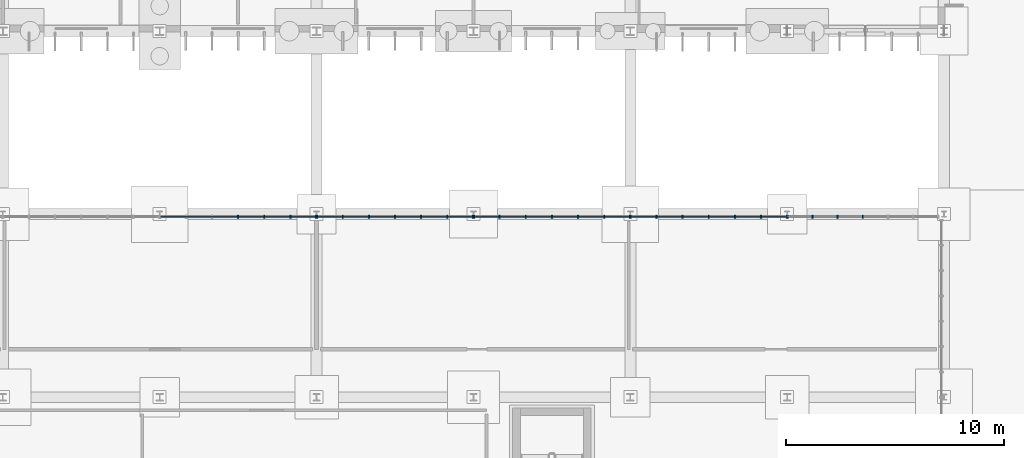
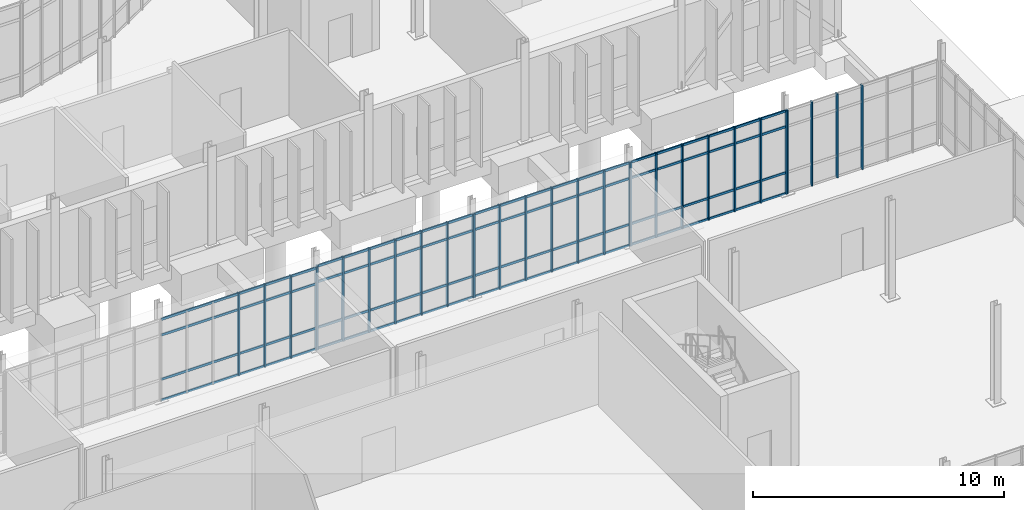
# One storey, part 48 of 118: 45 members, 5 elements without a shape of their own.
"""IFC4 building model written with IfcOpenShell, lengths in metres."""

from ifc_helpers import new_model, si_unit, direction, frame, origin, origin_2d, place, context, subcontext, project, spatial, rectangle, extrude, material, material_profile, profile_set, type_object, element, aggregate, save


model = new_model("IFC4")

# Units and contexts
model_context = context("Model", 3, precision=1e-05, world=origin(), true_north=direction((0.0, 1.0)))
body_context = subcontext(model_context, "Body", "Model", "MODEL_VIEW")
ifc_project = project(units=[si_unit("LENGTHUNIT", "METRE"), si_unit("AREAUNIT", "SQUARE_METRE"), si_unit("VOLUMEUNIT", "CUBIC_METRE"), si_unit("PLANEANGLEUNIT", "RADIAN"), si_unit("MASSUNIT", "GRAM", prefix="KILO")], contexts=[model_context])

# Site, building, storey
site_placement = place(None, origin())
site = spatial("IfcSite", under=ifc_project, at=site_placement, CompositionType="ELEMENT")
building_placement = place(site_placement, origin())
building = spatial("IfcBuilding", under=site, at=building_placement, Name="Qelthora Terrace Specialist Clinic", CompositionType="ELEMENT")
storey_placement = place(building_placement, origin())
storey = spatial("IfcBuildingStorey", under=building, at=storey_placement, Name="L00", CompositionType="ELEMENT", Elevation=0.0)

# Curtain wall, members
ifc_material = material(Name="Aluminium anodized bronze", Category="aluminium")
curtain_wall_type = type_object("IfcCurtainWallType", Name="CW-CONS-X", PredefinedType="NOTDEFINED", material=ifc_material)
curtain_wall_1_placement = place(storey_placement, origin())
curtain_wall_1 = element("IfcCurtainWall", 1, at=curtain_wall_1_placement, inside=storey, type_object=curtain_wall_type, Name="Curtain wall CW-L00-217", PredefinedType="NOTDEFINED")
ifc_material_profile_1 = material_profile(ifc_material, rectangle(XDim=0.06005859375, YDim=0.14990234375, at=origin_2d()), Name="CWM60X150")
ifc_profile_set_1 = profile_set([ifc_material_profile_1], Name="Aluminium anodized bronze")
member_type_1 = type_object("IfcMemberType", Name="CWM-60X150", PredefinedType="MULLION", material=ifc_profile_set_1)
member_1_placement = place(storey_placement, frame((126.0, 25.080078125, 0.0), z_axis=(0.0, 0.0, 1.0), x_axis=(1.0, 0.0, 0.0)))
member_1 = element("IfcMember", 2, at=member_1_placement, type_object=member_type_1, Name="CW-L00-217 mullion 4", PredefinedType="MULLION", context=body_context, shape_type="SweptSolid", body=[
    extrude(rectangle(XDim=0.06005859375, YDim=0.14990234375, at=origin_2d()), origin(), (0.0, 0.0, 1.0), 4.0048828125),
])
member_2_placement = place(storey_placement, frame((127.199951171875, 25.080078125, 0.0), z_axis=(0.0, 0.0, 1.0), x_axis=(1.0, 0.0, 0.0)))
member_2 = element("IfcMember", 3, at=member_2_placement, type_object=member_type_1, Name="CW-L00-217 mullion 5", PredefinedType="MULLION", context=body_context, shape_type="SweptSolid", body=[
    extrude(rectangle(XDim=0.06005859375, YDim=0.14990234375, at=origin_2d()), origin(), (0.0, 0.0, 1.0), 4.0048828125),
])
member_3_placement = place(storey_placement, frame((128.39990234375, 25.080078125, 0.0), z_axis=(0.0, 0.0, 1.0), x_axis=(1.0, 0.0, 0.0)))
member_3 = element("IfcMember", 4, at=member_3_placement, type_object=member_type_1, Name="CW-L00-217 mullion 6", PredefinedType="MULLION", context=body_context, shape_type="SweptSolid", body=[
    extrude(rectangle(XDim=0.06005859375, YDim=0.14990234375, at=origin_2d()), origin(), (0.0, 0.0, 1.0), 4.0048828125),
])
member_4_placement = place(storey_placement, frame((129.580078125, 25.080078125, 0.0), z_axis=(0.0, 0.0, 1.0), x_axis=(1.0, 0.0, 0.0)))
member_4 = element("IfcMember", 5, at=member_4_placement, type_object=member_type_1, Name="CW-L00-217 mullion 7", PredefinedType="MULLION", context=body_context, shape_type="SweptSolid", body=[
    extrude(rectangle(XDim=0.06005859375, YDim=0.14990234375, at=origin_2d()), origin(), (0.0, 0.0, 1.0), 4.0048828125),
])

curtain_wall_2_placement = place(storey_placement, origin())
curtain_wall_2 = element("IfcCurtainWall", 6, at=curtain_wall_2_placement, inside=storey, type_object=curtain_wall_type, Name="Curtain wall CW-L00-218", PredefinedType="NOTDEFINED")
member_5_placement = place(storey_placement, frame((129.6201171875, 25.080078125, 0.0), z_axis=(0.0, 0.0, 1.0), x_axis=(1.0, 0.0, 0.0)))
member_5 = element("IfcMember", 7, at=member_5_placement, type_object=member_type_1, Name="CW-L00-218 mullion 1", PredefinedType="MULLION", context=body_context, shape_type="SweptSolid", body=[
    extrude(rectangle(XDim=0.06005859375, YDim=0.14990234375, at=origin_2d()), origin(), (0.0, 0.0, 1.0), 4.075927734375),
])
member_6_placement = place(storey_placement, frame((130.800048828125, 25.080078125, 0.0), z_axis=(0.0, 0.0, 1.0), x_axis=(1.0, 0.0, 0.0)))
member_6 = element("IfcMember", 8, at=member_6_placement, type_object=member_type_1, Name="CW-L00-218 mullion 2", PredefinedType="MULLION", context=body_context, shape_type="SweptSolid", body=[
    extrude(rectangle(XDim=0.06005859375, YDim=0.14990234375, at=origin_2d()), origin(), (0.0, 0.0, 1.0), 4.075927734375),
])
member_7_placement = place(storey_placement, frame((132.0, 25.080078125, 0.0), z_axis=(0.0, 0.0, 1.0), x_axis=(1.0, 0.0, 0.0)))
member_7 = element("IfcMember", 9, at=member_7_placement, type_object=member_type_1, Name="CW-L00-218 mullion 3", PredefinedType="MULLION", context=body_context, shape_type="SweptSolid", body=[
    extrude(rectangle(XDim=0.06005859375, YDim=0.14990234375, at=origin_2d()), origin(), (0.0, 0.0, 1.0), 4.075927734375),
])
member_8_placement = place(storey_placement, frame((133.199951171875, 25.080078125, 0.0), z_axis=(0.0, 0.0, 1.0), x_axis=(1.0, 0.0, 0.0)))
member_8 = element("IfcMember", 10, at=member_8_placement, type_object=member_type_1, Name="CW-L00-218 mullion 4", PredefinedType="MULLION", context=body_context, shape_type="SweptSolid", body=[
    extrude(rectangle(XDim=0.06005859375, YDim=0.14990234375, at=origin_2d()), origin(), (0.0, 0.0, 1.0), 4.075927734375),
])
member_9_placement = place(storey_placement, frame((134.39990234375, 25.080078125, 0.0), z_axis=(0.0, 0.0, 1.0), x_axis=(1.0, 0.0, 0.0)))
member_9 = element("IfcMember", 11, at=member_9_placement, type_object=member_type_1, Name="CW-L00-218 mullion 5", PredefinedType="MULLION", context=body_context, shape_type="SweptSolid", body=[
    extrude(rectangle(XDim=0.06005859375, YDim=0.14990234375, at=origin_2d()), origin(), (0.0, 0.0, 1.0), 4.075927734375),
])
member_10_placement = place(storey_placement, frame((135.60009765625, 25.080078125, 0.0), z_axis=(0.0, 0.0, 1.0), x_axis=(1.0, 0.0, 0.0)))
member_10 = element("IfcMember", 12, at=member_10_placement, type_object=member_type_1, Name="CW-L00-218 mullion 6", PredefinedType="MULLION", context=body_context, shape_type="SweptSolid", body=[
    extrude(rectangle(XDim=0.06005859375, YDim=0.14990234375, at=origin_2d()), origin(), (0.0, 0.0, 1.0), 4.075927734375),
])
member_11_placement = place(storey_placement, frame((136.780029296875, 25.080078125, 0.0), z_axis=(0.0, 0.0, 1.0), x_axis=(1.0, 0.0, 0.0)))
member_11 = element("IfcMember", 13, at=member_11_placement, type_object=member_type_1, Name="CW-L00-218 mullion 7", PredefinedType="MULLION", context=body_context, shape_type="SweptSolid", body=[
    extrude(rectangle(XDim=0.06005859375, YDim=0.14990234375, at=origin_2d()), origin(), (0.0, 0.0, 1.0), 4.075927734375),
])

curtain_wall_3_placement = place(storey_placement, origin())
curtain_wall_3 = element("IfcCurtainWall", 14, at=curtain_wall_3_placement, inside=storey, type_object=curtain_wall_type, Name="Curtain wall CW-L00-219", PredefinedType="NOTDEFINED")
member_12_placement = place(storey_placement, frame((136.820068359375, 25.080078125, 0.0), z_axis=(0.0, 0.0, 1.0), x_axis=(1.0, 0.0, 0.0)))
member_12 = element("IfcMember", 15, at=member_12_placement, type_object=member_type_1, Name="CW-L00-219 mullion 1", PredefinedType="MULLION", context=body_context, shape_type="SweptSolid", body=[
    extrude(rectangle(XDim=0.06005859375, YDim=0.14990234375, at=origin_2d()), origin(), (0.0, 0.0, 1.0), 4.08203125),
])
member_13_placement = place(storey_placement, frame((138.0, 25.080078125, 0.0), z_axis=(0.0, 0.0, 1.0), x_axis=(1.0, 0.0, 0.0)))
member_13 = element("IfcMember", 16, at=member_13_placement, type_object=member_type_1, Name="CW-L00-219 mullion 2", PredefinedType="MULLION", context=body_context, shape_type="SweptSolid", body=[
    extrude(rectangle(XDim=0.06005859375, YDim=0.14990234375, at=origin_2d()), origin(), (0.0, 0.0, 1.0), 4.08203125),
])
member_14_placement = place(storey_placement, frame((139.199951171875, 25.080078125, 0.0), z_axis=(0.0, 0.0, 1.0), x_axis=(1.0, 0.0, 0.0)))
member_14 = element("IfcMember", 17, at=member_14_placement, type_object=member_type_1, Name="CW-L00-219 mullion 3", PredefinedType="MULLION", context=body_context, shape_type="SweptSolid", body=[
    extrude(rectangle(XDim=0.06005859375, YDim=0.14990234375, at=origin_2d()), origin(), (0.0, 0.0, 1.0), 4.08203125),
])
member_15_placement = place(storey_placement, frame((140.39990234375, 25.080078125, 0.0), z_axis=(0.0, 0.0, 1.0), x_axis=(1.0, 0.0, 0.0)))
member_15 = element("IfcMember", 18, at=member_15_placement, type_object=member_type_1, Name="CW-L00-219 mullion 4", PredefinedType="MULLION", context=body_context, shape_type="SweptSolid", body=[
    extrude(rectangle(XDim=0.06005859375, YDim=0.14990234375, at=origin_2d()), origin(), (0.0, 0.0, 1.0), 4.08203125),
])
member_16_placement = place(storey_placement, frame((141.60009765625, 25.080078125, 0.0), z_axis=(0.0, 0.0, 1.0), x_axis=(1.0, 0.0, 0.0)))
member_16 = element("IfcMember", 19, at=member_16_placement, type_object=member_type_1, Name="CW-L00-219 mullion 5", PredefinedType="MULLION", context=body_context, shape_type="SweptSolid", body=[
    extrude(rectangle(XDim=0.06005859375, YDim=0.14990234375, at=origin_2d()), origin(), (0.0, 0.0, 1.0), 4.08203125),
])
member_17_placement = place(storey_placement, frame((142.800048828125, 25.080078125, 0.0), z_axis=(0.0, 0.0, 1.0), x_axis=(1.0, 0.0, 0.0)))
member_17 = element("IfcMember", 20, at=member_17_placement, type_object=member_type_1, Name="CW-L00-219 mullion 6", PredefinedType="MULLION", context=body_context, shape_type="SweptSolid", body=[
    extrude(rectangle(XDim=0.06005859375, YDim=0.14990234375, at=origin_2d()), origin(), (0.0, 0.0, 1.0), 4.08203125),
])
member_18_placement = place(storey_placement, frame((143.97998046875, 25.080078125, 0.0), z_axis=(0.0, 0.0, 1.0), x_axis=(1.0, 0.0, 0.0)))
member_18 = element("IfcMember", 21, at=member_18_placement, type_object=member_type_1, Name="CW-L00-219 mullion 7", PredefinedType="MULLION", context=body_context, shape_type="SweptSolid", body=[
    extrude(rectangle(XDim=0.06005859375, YDim=0.14990234375, at=origin_2d()), origin(), (0.0, 0.0, 1.0), 4.08203125),
])

curtain_wall_4_placement = place(storey_placement, origin())
curtain_wall_4 = element("IfcCurtainWall", 22, at=curtain_wall_4_placement, inside=storey, type_object=curtain_wall_type, Name="Curtain wall CW-L00-220", PredefinedType="NOTDEFINED")
member_19_placement = place(storey_placement, frame((144.02001953125, 25.080078125, 0.0), z_axis=(0.0, 0.0, 1.0), x_axis=(1.0, 0.0, 0.0)))
member_19 = element("IfcMember", 23, at=member_19_placement, type_object=member_type_1, Name="CW-L00-220 mullion 1", PredefinedType="MULLION", context=body_context, shape_type="SweptSolid", body=[
    extrude(rectangle(XDim=0.06005859375, YDim=0.14990234375, at=origin_2d()), origin(), (0.0, 0.0, 1.0), 4.08203125),
])
member_20_placement = place(storey_placement, frame((145.199951171875, 25.080078125, 0.0), z_axis=(0.0, 0.0, 1.0), x_axis=(1.0, 0.0, 0.0)))
member_20 = element("IfcMember", 24, at=member_20_placement, type_object=member_type_1, Name="CW-L00-220 mullion 2", PredefinedType="MULLION", context=body_context, shape_type="SweptSolid", body=[
    extrude(rectangle(XDim=0.06005859375, YDim=0.14990234375, at=origin_2d()), origin(), (0.0, 0.0, 1.0), 4.08203125),
])
member_21_placement = place(storey_placement, frame((146.39990234375, 25.080078125, 0.0), z_axis=(0.0, 0.0, 1.0), x_axis=(1.0, 0.0, 0.0)))
member_21 = element("IfcMember", 25, at=member_21_placement, type_object=member_type_1, Name="CW-L00-220 mullion 3", PredefinedType="MULLION", context=body_context, shape_type="SweptSolid", body=[
    extrude(rectangle(XDim=0.06005859375, YDim=0.14990234375, at=origin_2d()), origin(), (0.0, 0.0, 1.0), 4.08203125),
])
member_22_placement = place(storey_placement, frame((147.60009765625, 25.080078125, 0.0), z_axis=(0.0, 0.0, 1.0), x_axis=(1.0, 0.0, 0.0)))
member_22 = element("IfcMember", 26, at=member_22_placement, type_object=member_type_1, Name="CW-L00-220 mullion 4", PredefinedType="MULLION", context=body_context, shape_type="SweptSolid", body=[
    extrude(rectangle(XDim=0.06005859375, YDim=0.14990234375, at=origin_2d()), origin(), (0.0, 0.0, 1.0), 4.08203125),
])
member_23_placement = place(storey_placement, frame((148.800048828125, 25.080078125, 0.0), z_axis=(0.0, 0.0, 1.0), x_axis=(1.0, 0.0, 0.0)))
member_23 = element("IfcMember", 27, at=member_23_placement, type_object=member_type_1, Name="CW-L00-220 mullion 5", PredefinedType="MULLION", context=body_context, shape_type="SweptSolid", body=[
    extrude(rectangle(XDim=0.06005859375, YDim=0.14990234375, at=origin_2d()), origin(), (0.0, 0.0, 1.0), 4.08203125),
])
member_24_placement = place(storey_placement, frame((150.0, 25.080078125, 0.0), z_axis=(0.0, 0.0, 1.0), x_axis=(1.0, 0.0, 0.0)))
member_24 = element("IfcMember", 28, at=member_24_placement, type_object=member_type_1, Name="CW-L00-220 mullion 6", PredefinedType="MULLION", context=body_context, shape_type="SweptSolid", body=[
    extrude(rectangle(XDim=0.06005859375, YDim=0.14990234375, at=origin_2d()), origin(), (0.0, 0.0, 1.0), 4.08203125),
])
member_25_placement = place(storey_placement, frame((151.179931640625, 25.080078125, 0.0), z_axis=(0.0, 0.0, 1.0), x_axis=(1.0, 0.0, 0.0)))
member_25 = element("IfcMember", 29, at=member_25_placement, type_object=member_type_1, Name="CW-L00-220 mullion 7", PredefinedType="MULLION", context=body_context, shape_type="SweptSolid", body=[
    extrude(rectangle(XDim=0.06005859375, YDim=0.14990234375, at=origin_2d()), origin(), (0.0, 0.0, 1.0), 4.08203125),
])

curtain_wall_5_placement = place(storey_placement, origin())
curtain_wall_5 = element("IfcCurtainWall", 30, at=curtain_wall_5_placement, inside=storey, type_object=curtain_wall_type, Name="Curtain wall CW-L00-221", PredefinedType="NOTDEFINED")
member_26_placement = place(storey_placement, frame((151.219970703125, 25.080078125, 0.0), z_axis=(0.0, 0.0, 1.0), x_axis=(1.0, 0.0, 0.0)))
member_26 = element("IfcMember", 31, at=member_26_placement, type_object=member_type_1, Name="CW-L00-221 mullion 1", PredefinedType="MULLION", context=body_context, shape_type="SweptSolid", body=[
    extrude(rectangle(XDim=0.06005859375, YDim=0.14990234375, at=origin_2d()), origin(), (0.0, 0.0, 1.0), 4.08203125),
])
member_27_placement = place(storey_placement, frame((152.356689453125, 25.080078125, 0.0), z_axis=(0.0, 0.0, 1.0), x_axis=(1.0, 0.0, 0.0)))
member_27 = element("IfcMember", 32, at=member_27_placement, type_object=member_type_1, Name="CW-L00-221 mullion 2", PredefinedType="MULLION", context=body_context, shape_type="SweptSolid", body=[
    extrude(rectangle(XDim=0.06005859375, YDim=0.14990234375, at=origin_2d()), origin(), (0.0, 0.0, 1.0), 4.08203125),
])
member_28_placement = place(storey_placement, frame((153.513427734375, 25.080078125, 0.0), z_axis=(0.0, 0.0, 1.0), x_axis=(1.0, 0.0, 0.0)))
member_28 = element("IfcMember", 33, at=member_28_placement, type_object=member_type_1, Name="CW-L00-221 mullion 3", PredefinedType="MULLION", context=body_context, shape_type="SweptSolid", body=[
    extrude(rectangle(XDim=0.06005859375, YDim=0.14990234375, at=origin_2d()), origin(), (0.0, 0.0, 1.0), 4.08203125),
])
member_29_placement = place(storey_placement, frame((154.669921875, 25.080078125, 0.0), z_axis=(0.0, 0.0, 1.0), x_axis=(1.0, 0.0, 0.0)))
member_29 = element("IfcMember", 34, at=member_29_placement, type_object=member_type_1, Name="CW-L00-221 mullion 4", PredefinedType="MULLION", context=body_context, shape_type="SweptSolid", body=[
    extrude(rectangle(XDim=0.06005859375, YDim=0.14990234375, at=origin_2d()), origin(), (0.0, 0.0, 1.0), 4.08203125),
])
aggregate(curtain_wall_5, [member_26, member_27, member_28, member_29])

# Member
ifc_material_profile_2 = material_profile(ifc_material, rectangle(XDim=0.06005859375, YDim=0.110107421875, at=origin_2d()), Name="CWT60X110")
ifc_profile_set_2 = profile_set([ifc_material_profile_2], Name="Aluminium anodized bronze")
member_type_2 = type_object("IfcMemberType", Name="CWT-60X110", PredefinedType="USERDEFINED", material=ifc_profile_set_2)
member_30_placement = place(storey_placement, frame((122.43994140625, 25.080078125, 0.0400390625), z_axis=(1.0, 0.0, 0.0), x_axis=(0.0, 1.0, 0.0)))
member_30 = element("IfcMember", 35, at=member_30_placement, type_object=member_type_2, Name="CW-L00-217 transom 1", ObjectType="TRANSOM", PredefinedType="USERDEFINED", context=body_context, shape_type="SweptSolid", body=[
    extrude(rectangle(XDim=0.06005859375, YDim=0.110107421875, at=origin_2d()), origin(), (0.0, 0.0, 1.0), 7.1201171875),
])

member_31_placement = place(storey_placement, frame((122.43994140625, 25.080078125, 1.050048828125), z_axis=(1.0, 0.0, 0.0), x_axis=(0.0, 1.0, 0.0)))
member_31 = element("IfcMember", 36, at=member_31_placement, type_object=member_type_2, Name="CW-L00-217 transom 2", ObjectType="TRANSOM", PredefinedType="USERDEFINED", context=body_context, shape_type="SweptSolid", body=[
    extrude(rectangle(XDim=0.06005859375, YDim=0.110107421875, at=origin_2d()), origin(), (0.0, 0.0, 1.0), 7.1201171875),
])

member_32_placement = place(storey_placement, frame((122.43994140625, 25.080078125, 3.205078125), z_axis=(1.0, 0.0, 0.0), x_axis=(0.0, 1.0, 0.0)))
member_32 = element("IfcMember", 37, at=member_32_placement, type_object=member_type_2, Name="CW-L00-217 transom 3", ObjectType="TRANSOM", PredefinedType="USERDEFINED", context=body_context, shape_type="SweptSolid", body=[
    extrude(rectangle(XDim=0.06005859375, YDim=0.110107421875, at=origin_2d()), origin(), (0.0, 0.0, 1.0), 7.1201171875),
])

member_33_placement = place(storey_placement, frame((122.43994140625, 25.080078125, 3.965087890625), z_axis=(1.0, 0.0, 0.0), x_axis=(0.0, 1.0, 0.0)))
member_33 = element("IfcMember", 38, at=member_33_placement, type_object=member_type_2, Name="CW-L00-217 transom 4", ObjectType="TRANSOM", PredefinedType="USERDEFINED", context=body_context, shape_type="SweptSolid", body=[
    extrude(rectangle(XDim=0.06005859375, YDim=0.110107421875, at=origin_2d()), origin(), (0.0, 0.0, 1.0), 7.1201171875),
])

aggregate(curtain_wall_1, [member_1, member_2, member_3, member_4, member_30, member_31, member_32, member_33])

member_34_placement = place(storey_placement, frame((129.639892578125, 25.080078125, 0.0400390625), z_axis=(1.0, 0.0, 0.0), x_axis=(0.0, 1.0, 0.0)))
member_34 = element("IfcMember", 39, at=member_34_placement, type_object=member_type_2, Name="CW-L00-218 transom 1", ObjectType="TRANSOM", PredefinedType="USERDEFINED", context=body_context, shape_type="SweptSolid", body=[
    extrude(rectangle(XDim=0.06005859375, YDim=0.110107421875, at=origin_2d()), origin(), (0.0, 0.0, 1.0), 7.1201171875),
])

member_35_placement = place(storey_placement, frame((129.639892578125, 25.080078125, 1.050048828125), z_axis=(1.0, 0.0, 0.0), x_axis=(0.0, 1.0, 0.0)))
member_35 = element("IfcMember", 40, at=member_35_placement, type_object=member_type_2, Name="CW-L00-218 transom 2", ObjectType="TRANSOM", PredefinedType="USERDEFINED", context=body_context, shape_type="SweptSolid", body=[
    extrude(rectangle(XDim=0.06005859375, YDim=0.110107421875, at=origin_2d()), origin(), (0.0, 0.0, 1.0), 7.1201171875),
])

member_36_placement = place(storey_placement, frame((129.639892578125, 25.080078125, 3.27587890625), z_axis=(1.0, 0.0, 0.0), x_axis=(0.0, 1.0, 0.0)))
member_36 = element("IfcMember", 41, at=member_36_placement, type_object=member_type_2, Name="CW-L00-218 transom 3", ObjectType="TRANSOM", PredefinedType="USERDEFINED", context=body_context, shape_type="SweptSolid", body=[
    extrude(rectangle(XDim=0.06005859375, YDim=0.110107421875, at=origin_2d()), origin(), (0.0, 0.0, 1.0), 7.1201171875),
])

member_37_placement = place(storey_placement, frame((129.639892578125, 25.080078125, 4.035888671875), z_axis=(1.0, 0.0, 0.0), x_axis=(0.0, 1.0, 0.0)))
member_37 = element("IfcMember", 42, at=member_37_placement, type_object=member_type_2, Name="CW-L00-218 transom 4", ObjectType="TRANSOM", PredefinedType="USERDEFINED", context=body_context, shape_type="SweptSolid", body=[
    extrude(rectangle(XDim=0.06005859375, YDim=0.110107421875, at=origin_2d()), origin(), (0.0, 0.0, 1.0), 7.1201171875),
])

aggregate(curtain_wall_2, [member_5, member_6, member_7, member_8, member_9, member_10, member_11, member_34, member_35, member_36, member_37])

member_38_placement = place(storey_placement, frame((136.840087890625, 25.080078125, 0.0400390625), z_axis=(1.0, 0.0, 0.0), x_axis=(0.0, 1.0, 0.0)))
member_38 = element("IfcMember", 43, at=member_38_placement, type_object=member_type_2, Name="CW-L00-219 transom 1", ObjectType="TRANSOM", PredefinedType="USERDEFINED", context=body_context, shape_type="SweptSolid", body=[
    extrude(rectangle(XDim=0.06005859375, YDim=0.110107421875, at=origin_2d()), origin(), (0.0, 0.0, 1.0), 7.119873046875),
])

member_39_placement = place(storey_placement, frame((136.840087890625, 25.080078125, 1.050048828125), z_axis=(1.0, 0.0, 0.0), x_axis=(0.0, 1.0, 0.0)))
member_39 = element("IfcMember", 44, at=member_39_placement, type_object=member_type_2, Name="CW-L00-219 transom 2", ObjectType="TRANSOM", PredefinedType="USERDEFINED", context=body_context, shape_type="SweptSolid", body=[
    extrude(rectangle(XDim=0.06005859375, YDim=0.110107421875, at=origin_2d()), origin(), (0.0, 0.0, 1.0), 7.119873046875),
])

member_40_placement = place(storey_placement, frame((136.840087890625, 25.080078125, 3.281982421875), z_axis=(1.0, 0.0, 0.0), x_axis=(0.0, 1.0, 0.0)))
member_40 = element("IfcMember", 45, at=member_40_placement, type_object=member_type_2, Name="CW-L00-219 transom 3", ObjectType="TRANSOM", PredefinedType="USERDEFINED", context=body_context, shape_type="SweptSolid", body=[
    extrude(rectangle(XDim=0.06005859375, YDim=0.110107421875, at=origin_2d()), origin(), (0.0, 0.0, 1.0), 7.119873046875),
])

member_41_placement = place(storey_placement, frame((136.840087890625, 25.080078125, 4.0419921875), z_axis=(1.0, 0.0, 0.0), x_axis=(0.0, 1.0, 0.0)))
member_41 = element("IfcMember", 46, at=member_41_placement, type_object=member_type_2, Name="CW-L00-219 transom 4", ObjectType="TRANSOM", PredefinedType="USERDEFINED", context=body_context, shape_type="SweptSolid", body=[
    extrude(rectangle(XDim=0.06005859375, YDim=0.110107421875, at=origin_2d()), origin(), (0.0, 0.0, 1.0), 7.119873046875),
])

aggregate(curtain_wall_3, [member_12, member_13, member_14, member_15, member_16, member_17, member_18, member_38, member_39, member_40, member_41])

member_42_placement = place(storey_placement, frame((144.0400390625, 25.080078125, 0.0400390625), z_axis=(1.0, 0.0, 0.0), x_axis=(0.0, 1.0, 0.0)))
member_42 = element("IfcMember", 47, at=member_42_placement, type_object=member_type_2, Name="CW-L00-220 transom 1", ObjectType="TRANSOM", PredefinedType="USERDEFINED", context=body_context, shape_type="SweptSolid", body=[
    extrude(rectangle(XDim=0.06005859375, YDim=0.110107421875, at=origin_2d()), origin(), (0.0, 0.0, 1.0), 7.119873046875),
])

member_43_placement = place(storey_placement, frame((144.0400390625, 25.080078125, 1.050048828125), z_axis=(1.0, 0.0, 0.0), x_axis=(0.0, 1.0, 0.0)))
member_43 = element("IfcMember", 48, at=member_43_placement, type_object=member_type_2, Name="CW-L00-220 transom 2", ObjectType="TRANSOM", PredefinedType="USERDEFINED", context=body_context, shape_type="SweptSolid", body=[
    extrude(rectangle(XDim=0.06005859375, YDim=0.110107421875, at=origin_2d()), origin(), (0.0, 0.0, 1.0), 7.119873046875),
])

member_44_placement = place(storey_placement, frame((144.0400390625, 25.080078125, 3.281982421875), z_axis=(1.0, 0.0, 0.0), x_axis=(0.0, 1.0, 0.0)))
member_44 = element("IfcMember", 49, at=member_44_placement, type_object=member_type_2, Name="CW-L00-220 transom 3", ObjectType="TRANSOM", PredefinedType="USERDEFINED", context=body_context, shape_type="SweptSolid", body=[
    extrude(rectangle(XDim=0.06005859375, YDim=0.110107421875, at=origin_2d()), origin(), (0.0, 0.0, 1.0), 7.119873046875),
])

member_45_placement = place(storey_placement, frame((144.0400390625, 25.080078125, 4.0419921875), z_axis=(1.0, 0.0, 0.0), x_axis=(0.0, 1.0, 0.0)))
member_45 = element("IfcMember", 50, at=member_45_placement, type_object=member_type_2, Name="CW-L00-220 transom 4", ObjectType="TRANSOM", PredefinedType="USERDEFINED", context=body_context, shape_type="SweptSolid", body=[
    extrude(rectangle(XDim=0.06005859375, YDim=0.110107421875, at=origin_2d()), origin(), (0.0, 0.0, 1.0), 7.119873046875),
])

aggregate(curtain_wall_4, [member_19, member_20, member_21, member_22, member_23, member_24, member_25, member_42, member_43, member_44, member_45])

save(model, "model.ifc")
